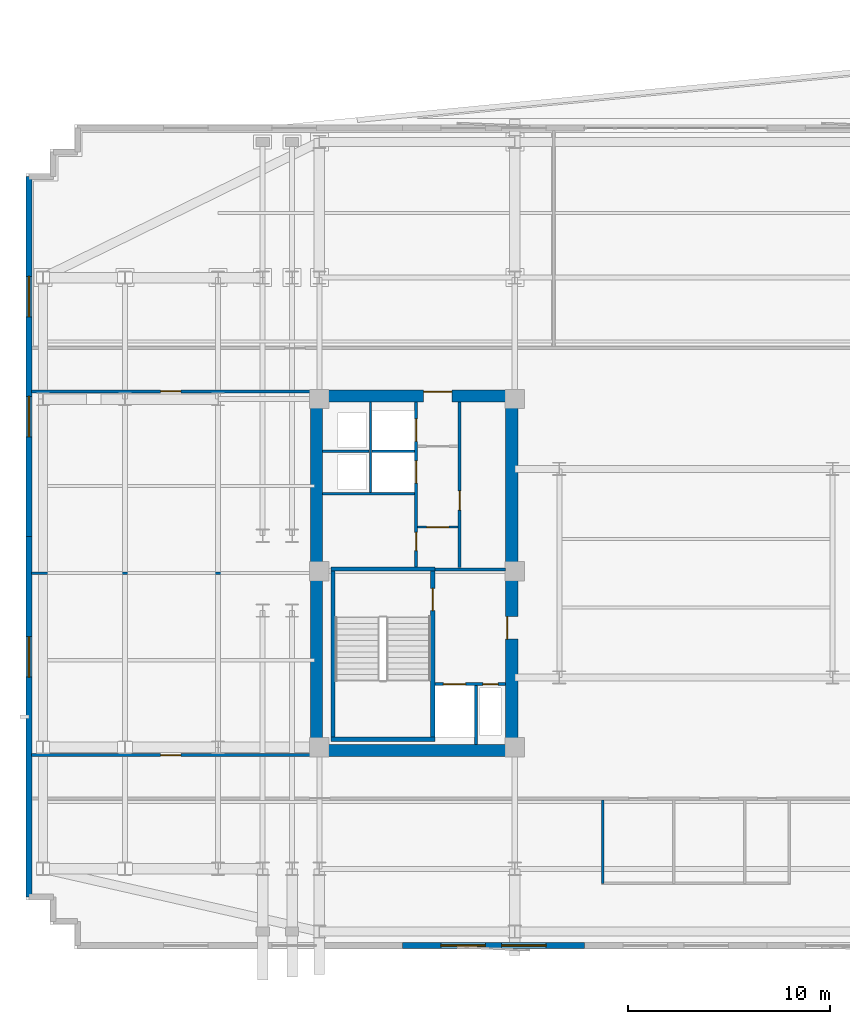
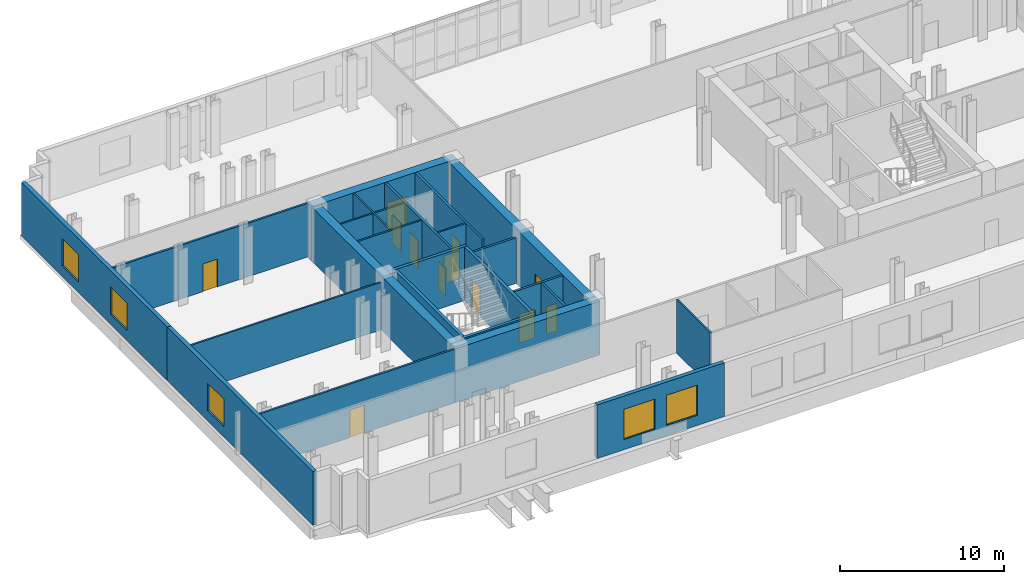
# One storey, part 6 of 14: 25 walls, 12 doors, 5 windows, 17 openings.
"""IFC4 building model written with IfcOpenShell, lengths in metres."""

from ifc_helpers import new_model, si_unit, direction, frame, frame_2d, origin, place, context, subcontext, project, spatial, rectangle, extrude, material, layer, layer_set, type_object, element, fill, save


model = new_model("IFC4")

# Units and contexts
model_context = context("Model", 3, precision=1e-05, world=origin(), true_north=direction((0.0, 1.0)))
body_context = subcontext(model_context, "Body", "Model", "MODEL_VIEW")
ifc_project = project(units=[si_unit("LENGTHUNIT", "METRE"), si_unit("AREAUNIT", "SQUARE_METRE"), si_unit("VOLUMEUNIT", "CUBIC_METRE"), si_unit("PLANEANGLEUNIT", "RADIAN"), si_unit("MASSUNIT", "GRAM", prefix="KILO")], contexts=[model_context])

# Site, building, storey
site_placement = place(None, origin())
site = spatial("IfcSite", under=ifc_project, at=site_placement, CompositionType="ELEMENT")
building_placement = place(site_placement, origin())
building = spatial("IfcBuilding", under=site, at=building_placement, Name="Velakula Bourse", CompositionType="ELEMENT")
storey_placement = place(building_placement, frame((0.0, 0.0, 116.64990234375)))
storey = spatial("IfcBuildingStorey", under=building, at=storey_placement, Name="L31", CompositionType="ELEMENT", Elevation=116.64990234375)

# Wall, opening, door
ifc_material_1 = material(Name="Concrete M50 (fck 50 MPa)", Category="concrete")
ifc_layer_1 = layer(ifc_material_1, 0.2099609375, Name="Concrete M50 (fck 50 MPa)", Category="concrete")
ifc_layer_set_1 = layer_set([ifc_layer_1], Name="Concrete M50 (fck 50 MPa)")
wall_type_1 = type_object("IfcWallType", Name="WL-CORE-210", PredefinedType="SHEAR", material=ifc_layer_set_1)
wall_1_placement = place(storey_placement, frame((-12.9951171875, -8.10009765625, 0.0), z_axis=(0.0, 0.0, 1.0), x_axis=(0.0, 1.0, 0.0)))
wall_1 = element("IfcWall", 1, at=wall_1_placement, inside=storey, type_object=wall_type_1, Name="L31 Core W Stairwell Shear Wall IN", PredefinedType="SHEAR", context=body_context, shape_type="SweptSolid", body=[
    extrude(rectangle(XDim=8.2001953125, YDim=0.2099609375, at=frame_2d((4.10009765625, 0.0))), origin(), (0.0, 0.0, 1.0), 4.02001953125),
])
opening_1_placement = place(wall_1_placement, frame((6.25, 0.0, 0.0)))
opening_1 = element("IfcOpeningElement", 2, at=opening_1_placement, cuts=wall_1, Name="Opening D-STW1", PredefinedType="OPENING", context=body_context, shape_type="SweptSolid", body=[
    extrude(rectangle(XDim=1.10009765625, YDim=2.14990234375, at=frame_2d((0.550048828125, 1.074951171875))), frame((0.0, 0.114990234375, 0.0), z_axis=(0.0, -1.0, 0.0), x_axis=(1.0, 0.0, 0.0)), (0.0, 0.0, 1.0), 0.22998046875),
])
ifc_material_2 = material(Name="Galvanised painted hollow steel fire door", Category="steel")
door_type_1 = type_object("IfcDoorType", Name="DR-FD120-1100x2150", OperationType="NOTDEFINED", PredefinedType="DOOR", material=ifc_material_2)
door_1_placement = place(opening_1_placement, origin())
door_1 = element("IfcDoor", 3, at=door_1_placement, inside=storey, type_object=door_type_1, Name="L31 Stair ST-W1 Fire Door", OperationType="SINGLE_SWING_LEFT", OverallHeight=2.14990234375, OverallWidth=1.10009765625, PredefinedType="DOOR", context=body_context, shape_type="SweptSolid", body=[
    extrude(rectangle(XDim=1.10009765625, YDim=2.14990234375, at=frame_2d((0.550048828125, 1.074951171875))), frame((0.0, 0.02490234375, 0.0), z_axis=(0.0, -1.0, 0.0), x_axis=(1.0, 0.0, 0.0)), (0.0, 0.0, 1.0), 0.050048828125),
])
fill(opening_1, door_1)

# Walls
wall_2_placement = place(storey_placement, frame((-17.925048828125, -8.10009765625, 0.0), z_axis=(0.0, 0.0, 1.0), x_axis=(0.0, 1.0, 0.0)))
element("IfcWall", 4, at=wall_2_placement, inside=storey, type_object=wall_type_1, Name="L31 Core W Stairwell Shear Wall OUT", PredefinedType="SHEAR", context=body_context, shape_type="SweptSolid", body=[
    extrude(rectangle(XDim=8.2001953125, YDim=0.2099609375, at=frame_2d((4.10009765625, 0.0))), origin(), (0.0, 0.0, 1.0), 4.02001953125),
])
for number, where, z_axis, x_axis, name in (
    (5, (-18.030029296875, -8.205078125, 0.0), (0.0, 0.0, 1.0), (1.0, 0.0, 0.0), "L31 Core W Stairwell Shear Wall S"),
    (6, (-12.889892578125, 0.205078125, 0.0), (0.0, 0.0, 1.0), (-1.0, 0.0, 0.0), "L31 Core W Stairwell Shear Wall N"),
):
    element("IfcWall", number, at=place(storey_placement, frame(where, z_axis=z_axis, x_axis=x_axis)), inside=storey, type_object=wall_type_1, Name=name, PredefinedType="SHEAR", context=body_context, shape_type="SweptSolid", body=[
        extrude(rectangle(XDim=5.14013671875, YDim=0.2099609375, at=frame_2d((2.570068359375, 0.0))), origin(), (0.0, 0.0, 1.0), 4.02001953125),
    ])
ifc_material_3 = material(Name="Concrete M70 (fck 70 MPa)", Category="concrete")
ifc_layer_2 = layer(ifc_material_3, 0.60009765625, Name="Concrete M70 (fck 70 MPa)", Category="concrete")
ifc_layer_set_2 = layer_set([ifc_layer_2], Name="Concrete M70 (fck 70 MPa)")
wall_type_2 = type_object("IfcWallType", Name="WL-CORE-600", PredefinedType="SHEAR", material=ifc_layer_set_2)
wall_3_placement = place(storey_placement, frame((-19.050048828125, -8.75, 0.0), z_axis=(0.0, 0.0, 1.0), x_axis=(1.0, 0.0, 0.0)))
element("IfcWall", 7, at=wall_3_placement, inside=storey, type_object=wall_type_2, Name="L31 Core W Shear Wall S", PredefinedType="SHEAR", context=body_context, shape_type="SweptSolid", body=[
    extrude(rectangle(XDim=10.25, YDim=0.60009765625, at=frame_2d((5.125, 0.0))), origin(), (0.0, 0.0, 1.0), 4.02001953125),
])

# Wall, opening, door
wall_4_placement = place(storey_placement, frame((-19.050048828125, 8.75, 0.0), z_axis=(0.0, 0.0, 1.0), x_axis=(1.0, 0.0, 0.0)))
wall_4 = element("IfcWall", 8, at=wall_4_placement, inside=storey, type_object=wall_type_2, Name="L31 Core W Shear Wall N", PredefinedType="SHEAR", context=body_context, shape_type="SweptSolid", body=[
    extrude(rectangle(XDim=10.25, YDim=0.60009765625, at=frame_2d((5.125, 0.0))), origin(), (0.0, 0.0, 1.0), 4.02001953125),
])
opening_2_placement = place(wall_4_placement, frame((5.60009765625, 0.0, 0.0)))
opening_2 = element("IfcOpeningElement", 9, at=opening_2_placement, cuts=wall_4, Name="Opening D-LLW", PredefinedType="OPENING", context=body_context, shape_type="SweptSolid", body=[
    extrude(rectangle(XDim=1.39990234375, YDim=2.050048828125, at=frame_2d((0.699951171875, 1.02490234375))), frame((0.0, 0.31005859375, 0.0), z_axis=(0.0, -1.0, 0.0), x_axis=(1.0, 0.0, 0.0)), (0.0, 0.0, 1.0), 0.6201171875),
])
ifc_material_4 = material(Name="Fire-rated hardwood flush architectural door", Category="wood")
door_type_2 = type_object("IfcDoorType", Name="DR-DBL-FD60-1400", OperationType="DOUBLE_DOOR_SINGLE_SWING", PredefinedType="DOOR", material=ifc_material_4)
door_2_placement = place(opening_2_placement, origin())
door_2 = element("IfcDoor", 10, at=door_2_placement, inside=storey, type_object=door_type_2, Name="L31 Core W Lift Lobby Corridor Double Door", OperationType="DOUBLE_DOOR_SINGLE_SWING", OverallHeight=2.050048828125, OverallWidth=1.39990234375, PredefinedType="DOOR", context=body_context, shape_type="SweptSolid", body=[
    extrude(rectangle(XDim=1.39990234375, YDim=2.050048828125, at=frame_2d((0.699951171875, 1.02490234375))), frame((0.0, 0.2451171875, 0.0), z_axis=(0.0, -1.0, 0.0), x_axis=(1.0, 0.0, 0.0)), (0.0, 0.0, 1.0), 0.050048828125),
])
fill(opening_2, door_2)

# Wall
wall_5_placement = place(storey_placement, frame((-18.75, -8.449951171875, 0.0), z_axis=(0.0, 0.0, 1.0), x_axis=(0.0, 1.0, 0.0)))
element("IfcWall", 11, at=wall_5_placement, inside=storey, type_object=wall_type_2, Name="L31 Core W Shear Wall W", PredefinedType="SHEAR", context=body_context, shape_type="SweptSolid", body=[
    extrude(rectangle(XDim=16.89990234375, YDim=0.60009765625, at=frame_2d((8.449951171875, 0.0))), origin(), (0.0, 0.0, 1.0), 4.02001953125),
])

# Wall, opening, door
wall_6_placement = place(storey_placement, frame((-9.10009765625, -8.449951171875, 0.0), z_axis=(0.0, 0.0, 1.0), x_axis=(0.0, 1.0, 0.0)))
wall_6 = element("IfcWall", 12, at=wall_6_placement, inside=storey, type_object=wall_type_2, Name="L31 Core W Shear Wall E", PredefinedType="SHEAR", context=body_context, shape_type="SweptSolid", body=[
    extrude(rectangle(XDim=16.89990234375, YDim=0.60009765625, at=frame_2d((8.449951171875, 0.0))), origin(), (0.0, 0.0, 1.0), 4.02001953125),
])
opening_3_placement = place(wall_6_placement, frame((5.199951171875, 0.0, 0.0)))
opening_3 = element("IfcOpeningElement", 13, at=opening_3_placement, cuts=wall_6, Name="Opening D-FLW", PredefinedType="OPENING", context=body_context, shape_type="SweptSolid", body=[
    extrude(rectangle(XDim=1.10009765625, YDim=2.080078125, at=frame_2d((0.550048828125, 1.0400390625))), frame((0.0, 0.31005859375, 0.0), z_axis=(0.0, -1.0, 0.0), x_axis=(1.0, 0.0, 0.0)), (0.0, 0.0, 1.0), 0.6201171875),
])
door_type_3 = type_object("IfcDoorType", Name="DR-FD120-1100", OperationType="NOTDEFINED", PredefinedType="DOOR", material=ifc_material_2)
door_3_placement = place(opening_3_placement, origin())
door_3 = element("IfcDoor", 14, at=door_3_placement, inside=storey, type_object=door_type_3, Name="L31 Firefighting Lobby W Corridor Fire Door", OperationType="SINGLE_SWING_LEFT", OverallHeight=2.080078125, OverallWidth=1.10009765625, PredefinedType="DOOR", context=body_context, shape_type="SweptSolid", body=[
    extrude(rectangle(XDim=1.10009765625, YDim=2.080078125, at=frame_2d((0.550048828125, 1.0400390625))), frame((0.0, 0.2548828125, 0.0), z_axis=(0.0, -1.0, 0.0), x_axis=(1.0, 0.0, 0.0)), (0.0, 0.0, 1.0), 0.050048828125),
])
fill(opening_3, door_3)

# Wall, openings, windows
ifc_material_5 = material(Name="Red kilned clay facing brick masonry", Category="masonry")
ifc_layer_3 = layer(ifc_material_5, 0.280029296875, Name="Red kilned clay facing brick masonry", Category="masonry")
ifc_layer_set_3 = layer_set([ifc_layer_3], Name="Red kilned clay facing brick masonry")
wall_type_3 = type_object("IfcWallType", Name="WL-EXT-BRK-280", PredefinedType="STANDARD", material=ifc_layer_set_3)
wall_7_placement = place(storey_placement, frame((-5.5, -18.389892578125, 0.0), z_axis=(0.0, 0.0, 1.0), x_axis=(-1.0, 0.0, 0.0)))
wall_7 = element("IfcWall", 15, at=wall_7_placement, inside=storey, type_object=wall_type_3, Name="L31 S Brick Spandrel Wall B2", PredefinedType="STANDARD", context=body_context, shape_type="SweptSolid", body=[
    extrude(rectangle(XDim=9.0, YDim=0.280029296875, at=frame_2d((4.5, 0.0))), origin(), (0.0, 0.0, 1.0), 4.0),
])
opening_4_placement = place(wall_7_placement, frame((1.89990234375, 0.0, 0.760009765625)))
opening_4 = element("IfcOpeningElement", 16, at=opening_4_placement, cuts=wall_7, Name="Opening W-08", PredefinedType="OPENING", context=body_context, shape_type="SweptSolid", body=[
    extrude(rectangle(XDim=2.199951171875, YDim=2.25, at=frame_2d((1.10009765625, 1.125))), frame((0.0, 0.14990234375, 0.0), z_axis=(0.0, -1.0, 0.0), x_axis=(1.0, 0.0, 0.0)), (0.0, 0.0, 1.0), 0.300048828125),
])
opening_5_placement = place(wall_7_placement, frame((4.89990234375, 0.0, 0.760009765625)))
opening_5 = element("IfcOpeningElement", 17, at=opening_5_placement, cuts=wall_7, Name="Opening W-08", PredefinedType="OPENING", context=body_context, shape_type="SweptSolid", body=[
    extrude(rectangle(XDim=2.199951171875, YDim=2.25, at=frame_2d((1.10009765625, 1.125))), frame((0.0, 0.14990234375, 0.0), z_axis=(0.0, -1.0, 0.0), x_axis=(1.0, 0.0, 0.0)), (0.0, 0.0, 1.0), 0.300048828125),
])
ifc_material_6 = material(Name="Double-glazed solar-control Low-E glass", Category="glass")
window_type_1 = type_object("IfcWindowType", Name="WIN-SL-2200x2500", PartitioningType="DOUBLE_PANEL_VERTICAL", PredefinedType="WINDOW", material=ifc_material_6)
window_1_placement = place(opening_4_placement, origin())
window_1 = element("IfcWindow", 18, at=window_1_placement, inside=storey, type_object=window_type_1, Name="L31 Deep-Set Recessed Window 1", OverallHeight=2.25, OverallWidth=2.199951171875, PartitioningType="DOUBLE_PANEL_VERTICAL", PredefinedType="WINDOW", context=body_context, shape_type="SweptSolid", body=[
    extrude(rectangle(XDim=2.199951171875, YDim=2.25, at=frame_2d((1.10009765625, 1.125))), frame((0.0, 0.030029296875, 0.0), z_axis=(0.0, -1.0, 0.0), x_axis=(1.0, 0.0, 0.0)), (0.0, 0.0, 1.0), 0.06005859375),
])
fill(opening_4, window_1)
window_2_placement = place(opening_5_placement, origin())
window_2 = element("IfcWindow", 19, at=window_2_placement, inside=storey, type_object=window_type_1, Name="L31 Deep-Set Recessed Window 2", OverallHeight=2.25, OverallWidth=2.199951171875, PartitioningType="DOUBLE_PANEL_VERTICAL", PredefinedType="WINDOW", context=body_context, shape_type="SweptSolid", body=[
    extrude(rectangle(XDim=2.199951171875, YDim=2.25, at=frame_2d((1.10009765625, 1.125))), frame((0.0, 0.030029296875, 0.0), z_axis=(0.0, -1.0, 0.0), x_axis=(1.0, 0.0, 0.0)), (0.0, 0.0, 1.0), 0.06005859375),
])
fill(opening_5, window_2)

# Wall, opening, window
wall_8_placement = place(storey_placement, frame((-32.93994140625, -15.989990234375, 0.0), z_axis=(0.0, 0.0, 1.0), x_axis=(0.0, 1.0, 0.0)))
wall_8 = element("IfcWall", 20, at=wall_8_placement, inside=storey, type_object=wall_type_3, Name="L31 W Brick End Wall W1", PredefinedType="STANDARD", context=body_context, shape_type="SweptSolid", body=[
    extrude(rectangle(XDim=17.7900390625, YDim=0.280029296875, at=frame_2d((8.89501953125, 0.0))), origin(), (0.0, 0.0, 1.0), 4.0),
])
opening_6_placement = place(wall_8_placement, frame((10.860107421875, 0.0, 0.760009765625)))
opening_6 = element("IfcOpeningElement", 21, at=opening_6_placement, cuts=wall_8, Name="Opening W-05", PredefinedType="OPENING", context=body_context, shape_type="SweptSolid", body=[
    extrude(rectangle(XDim=2.0, YDim=2.050048828125, at=frame_2d((1.0, 1.02490234375))), frame((0.0, 0.14990234375, 0.0), z_axis=(0.0, -1.0, 0.0), x_axis=(1.0, 0.0, 0.0)), (0.0, 0.0, 1.0), 0.300048828125),
])
window_type_2 = type_object("IfcWindowType", Name="WIN-TWR-2000x2200", PartitioningType="DOUBLE_PANEL_VERTICAL", PredefinedType="WINDOW", material=ifc_material_6)
window_3_placement = place(opening_6_placement, origin())
window_3 = element("IfcWindow", 22, at=window_3_placement, inside=storey, type_object=window_type_2, Name="L31 Deep-Set Recessed Window 1", OverallHeight=2.050048828125, OverallWidth=2.0, PartitioningType="DOUBLE_PANEL_VERTICAL", PredefinedType="WINDOW", context=body_context, shape_type="SweptSolid", body=[
    extrude(rectangle(XDim=2.0, YDim=2.050048828125, at=frame_2d((1.0, 1.02490234375))), frame((0.0, 0.030029296875, 0.0), z_axis=(0.0, -1.0, 0.0), x_axis=(1.0, 0.0, 0.0)), (0.0, 0.0, 1.0), 0.06005859375),
])
fill(opening_6, window_3)

# Wall, openings, windows
wall_9_placement = place(storey_placement, frame((-32.93994140625, 1.800048828125, 0.0), z_axis=(0.0, 0.0, 1.0), x_axis=(0.0, 1.0, 0.0)))
wall_9 = element("IfcWall", 23, at=wall_9_placement, inside=storey, type_object=wall_type_3, Name="L31 W Brick End Wall W2", PredefinedType="STANDARD", context=body_context, shape_type="SweptSolid", body=[
    extrude(rectangle(XDim=17.7900390625, YDim=0.280029296875, at=frame_2d((8.89501953125, 0.0))), origin(), (0.0, 0.0, 1.0), 4.0),
])
opening_7_placement = place(wall_9_placement, frame((4.929931640625, 0.0, 0.760009765625)))
opening_7 = element("IfcOpeningElement", 24, at=opening_7_placement, cuts=wall_9, Name="Opening W-05", PredefinedType="OPENING", context=body_context, shape_type="SweptSolid", body=[
    extrude(rectangle(XDim=2.0, YDim=2.050048828125, at=frame_2d((1.0, 1.02490234375))), frame((0.0, 0.14990234375, 0.0), z_axis=(0.0, -1.0, 0.0), x_axis=(1.0, 0.0, 0.0)), (0.0, 0.0, 1.0), 0.300048828125),
])
opening_8_placement = place(wall_9_placement, frame((10.860107421875, 0.0, 0.760009765625)))
opening_8 = element("IfcOpeningElement", 25, at=opening_8_placement, cuts=wall_9, Name="Opening W-05", PredefinedType="OPENING", context=body_context, shape_type="SweptSolid", body=[
    extrude(rectangle(XDim=2.0, YDim=2.050048828125, at=frame_2d((1.0, 1.02490234375))), frame((0.0, 0.14990234375, 0.0), z_axis=(0.0, -1.0, 0.0), x_axis=(1.0, 0.0, 0.0)), (0.0, 0.0, 1.0), 0.300048828125),
])
window_4_placement = place(opening_7_placement, origin())
window_4 = element("IfcWindow", 26, at=window_4_placement, inside=storey, type_object=window_type_2, Name="L31 Deep-Set Recessed Window 1", OverallHeight=2.050048828125, OverallWidth=2.0, PartitioningType="DOUBLE_PANEL_VERTICAL", PredefinedType="WINDOW", context=body_context, shape_type="SweptSolid", body=[
    extrude(rectangle(XDim=2.0, YDim=2.050048828125, at=frame_2d((1.0, 1.02490234375))), frame((0.0, 0.030029296875, 0.0), z_axis=(0.0, -1.0, 0.0), x_axis=(1.0, 0.0, 0.0)), (0.0, 0.0, 1.0), 0.06005859375),
])
fill(opening_7, window_4)
window_5_placement = place(opening_8_placement, origin())
window_5 = element("IfcWindow", 27, at=window_5_placement, inside=storey, type_object=window_type_2, Name="L31 Deep-Set Recessed Window 2", OverallHeight=2.050048828125, OverallWidth=2.0, PartitioningType="DOUBLE_PANEL_VERTICAL", PredefinedType="WINDOW", context=body_context, shape_type="SweptSolid", body=[
    extrude(rectangle(XDim=2.0, YDim=2.050048828125, at=frame_2d((1.0, 1.02490234375))), frame((0.0, 0.030029296875, 0.0), z_axis=(0.0, -1.0, 0.0), x_axis=(1.0, 0.0, 0.0)), (0.0, 0.0, 1.0), 0.06005859375),
])
fill(opening_8, window_5)

# Wall, opening, door
ifc_material_7 = material(Name="Fire-rated double-layer gypsum drywall partition", Category="gypsum")
ifc_layer_4 = layer(ifc_material_7, 0.1201171875, Name="Fire-rated double-layer gypsum drywall partition", Category="gypsum")
ifc_layer_set_4 = layer_set([ifc_layer_4], Name="Fire-rated double-layer gypsum drywall partition")
wall_type_4 = type_object("IfcWallType", Name="WL-PART-120", PredefinedType="STANDARD", material=ifc_layer_set_4)
wall_10_placement = place(storey_placement, frame((-13.75, 2.280029296875, 0.0), z_axis=(0.0, 0.0, 1.0), x_axis=(1.0, 0.0, 0.0)))
wall_10 = element("IfcWall", 28, at=wall_10_placement, inside=storey, type_object=wall_type_4, Name="L31 Interior Partition WL-CRW-L31-LL-K3A", PredefinedType="STANDARD", context=body_context, shape_type="SweptSolid", body=[
    extrude(rectangle(XDim=2.0, YDim=0.1201171875, at=frame_2d((1.0, 0.0))), origin(), (0.0, 0.0, 1.0), 4.0),
])
opening_9_placement = place(wall_10_placement, frame((0.449951171875, 0.0, 0.0)))
opening_9 = element("IfcOpeningElement", 29, at=opening_9_placement, cuts=wall_10, Name="Opening D-LK3", PredefinedType="OPENING", context=body_context, shape_type="SweptSolid", body=[
    extrude(rectangle(XDim=1.10009765625, YDim=2.10009765625, at=frame_2d((0.550048828125, 1.050048828125))), frame((0.0, 0.070068359375, 0.0), z_axis=(0.0, -1.0, 0.0), x_axis=(1.0, 0.0, 0.0)), (0.0, 0.0, 1.0), 0.14013671875),
])
door_type_4 = type_object("IfcDoorType", Name="DR-FD60-1100x2100", OperationType="NOTDEFINED", PredefinedType="DOOR", material=ifc_material_4)
door_4_placement = place(opening_9_placement, origin())
door_4 = element("IfcDoor", 30, at=door_4_placement, inside=storey, type_object=door_type_4, Name="L31 Core W Lift Lobby Vestibule Door A", OperationType="SINGLE_SWING_RIGHT", OverallHeight=2.10009765625, OverallWidth=1.10009765625, PredefinedType="DOOR", context=body_context, shape_type="SweptSolid", body=[
    extrude(rectangle(XDim=1.10009765625, YDim=2.10009765625, at=frame_2d((0.550048828125, 1.050048828125))), frame((0.0, 0.02490234375, 0.0), z_axis=(0.0, -1.0, 0.0), x_axis=(1.0, 0.0, 0.0)), (0.0, 0.0, 1.0), 0.050048828125),
])
fill(opening_9, door_4)

# Walls
wall_11_placement = place(storey_placement, frame((-18.449951171875, 3.919921875, 0.0), z_axis=(0.0, 0.0, 1.0), x_axis=(1.0, 0.0, 0.0)))
element("IfcWall", 31, at=wall_11_placement, inside=storey, type_object=wall_type_4, Name="L31 Interior Partition WL-CRW-L31-HI-S", PredefinedType="STANDARD", context=body_context, shape_type="SweptSolid", body=[
    extrude(rectangle(XDim=4.550048828125, YDim=0.1201171875, at=frame_2d((2.27490234375, 0.0))), origin(), (0.0, 0.0, 1.0), 4.0),
])
wall_12_placement = place(storey_placement, frame((-18.449951171875, 6.030029296875, 0.0), z_axis=(0.0, 0.0, 1.0), x_axis=(1.0, 0.0, 0.0)))
element("IfcWall", 32, at=wall_12_placement, inside=storey, type_object=wall_type_4, Name="L31 Interior Partition WL-CRW-L31-RIS-MID", PredefinedType="STANDARD", context=body_context, shape_type="SweptSolid", body=[
    extrude(rectangle(XDim=2.300048828125, YDim=0.1201171875, at=frame_2d((1.14990234375, 0.0))), origin(), (0.0, 0.0, 1.0), 4.0),
])
wall_13_placement = place(storey_placement, frame((-16.074951171875, 3.97998046875, 0.0), z_axis=(0.0, 0.0, 1.0), x_axis=(0.0, 1.0, 0.0)))
element("IfcWall", 33, at=wall_13_placement, inside=storey, type_object=wall_type_4, Name="L31 Interior Partition WL-CRW-L31-RIS-F", PredefinedType="STANDARD", context=body_context, shape_type="SweptSolid", body=[
    extrude(rectangle(XDim=4.469970703125, YDim=0.1201171875, at=frame_2d((2.23486328125, 0.0))), origin(), (0.0, 0.0, 1.0), 4.0),
])
wall_14_placement = place(storey_placement, frame((-16.0, 6.030029296875, 0.0), z_axis=(0.0, 0.0, 1.0), x_axis=(1.0, 0.0, 0.0)))
element("IfcWall", 34, at=wall_14_placement, inside=storey, type_object=wall_type_4, Name="L31 Interior Partition WL-CRW-L31-HI-DIV", PredefinedType="STANDARD", context=body_context, shape_type="SweptSolid", body=[
    extrude(rectangle(XDim=2.10009765625, YDim=0.1201171875, at=frame_2d((1.050048828125, 0.0))), origin(), (0.0, 0.0, 1.0), 4.0),
])
wall_15_placement = place(storey_placement, frame((-4.60009765625, -15.320068359375, 0.0), z_axis=(0.0, 0.0, 1.0), x_axis=(0.0, 1.0, 0.0)))
element("IfcWall", 35, at=wall_15_placement, inside=storey, type_object=wall_type_4, Name="L31 Interior Partition WL-WC-L31-V1", PredefinedType="STANDARD", context=body_context, shape_type="SweptSolid", body=[
    extrude(rectangle(XDim=4.130126953125, YDim=0.1201171875, at=frame_2d((2.06494140625, 0.0))), origin(), (0.0, 0.0, 1.0), 4.0),
])
wall_16_placement = place(storey_placement, frame((-32.820068359375, 0.0, 0.0), z_axis=(0.0, 0.0, 1.0), x_axis=(1.0, 0.0, 0.0)))
element("IfcWall", 36, at=wall_16_placement, inside=storey, type_object=wall_type_4, Name="L31 Interior Partition WL-INT-L31-W-H", PredefinedType="STANDARD", context=body_context, shape_type="SweptSolid", body=[
    extrude(rectangle(XDim=13.77001953125, YDim=0.1201171875, at=frame_2d((6.885009765625, 0.0))), origin(), (0.0, 0.0, 1.0), 3.545166015625),
])

# Wall, opening, door
ifc_layer_5 = layer(ifc_material_7, 0.139892578125, Name="Fire-rated double-layer gypsum drywall partition", Category="gypsum")
ifc_layer_set_5 = layer_set([ifc_layer_5], Name="Fire-rated double-layer gypsum drywall partition")
wall_type_5 = type_object("IfcWallType", Name="WL-PART-140", PredefinedType="STANDARD", material=ifc_layer_set_5)
wall_17_placement = place(storey_placement, frame((-32.820068359375, 8.97998046875, 0.0), z_axis=(0.0, 0.0, 1.0), x_axis=(1.0, 0.0, 0.0)))
wall_17 = element("IfcWall", 37, at=wall_17_placement, inside=storey, type_object=wall_type_5, Name="L31 Interior Partition WL-INT-L31-W-NC", PredefinedType="STANDARD", context=body_context, shape_type="SweptSolid", body=[
    extrude(rectangle(XDim=13.77001953125, YDim=0.139892578125, at=frame_2d((6.885009765625, 0.0))), origin(), (0.0, 0.0, 1.0), 4.0),
])
opening_10_placement = place(wall_17_placement, frame((6.385009765625, 0.0, 0.0)))
opening_10 = element("IfcOpeningElement", 38, at=opening_10_placement, cuts=wall_17, Name="Opening D-OF1", PredefinedType="OPENING", context=body_context, shape_type="SweptSolid", body=[
    extrude(rectangle(XDim=1.0, YDim=2.080078125, at=frame_2d((0.5, 1.0400390625))), frame((0.0, 0.079833984375, 0.0), z_axis=(0.0, -1.0, 0.0), x_axis=(1.0, 0.0, 0.0)), (0.0, 0.0, 1.0), 0.159912109375),
])
door_type_5 = type_object("IfcDoorType", Name="DR-OFF-1000", OperationType="NOTDEFINED", PredefinedType="DOOR", material=ifc_material_4)
door_5_placement = place(opening_10_placement, origin())
door_5 = element("IfcDoor", 39, at=door_5_placement, inside=storey, type_object=door_type_5, Name="L31 Bullion Assay Office Door", OperationType="SINGLE_SWING_RIGHT", OverallHeight=2.080078125, OverallWidth=1.0, PredefinedType="DOOR", context=body_context, shape_type="SweptSolid", body=[
    extrude(rectangle(XDim=1.0, YDim=2.080078125, at=frame_2d((0.5, 1.0400390625))), frame((0.0, 0.02490234375, 0.0), z_axis=(0.0, -1.0, 0.0), x_axis=(1.0, 0.0, 0.0)), (0.0, 0.0, 1.0), 0.050048828125),
])
fill(opening_10, door_5)

wall_18_placement = place(storey_placement, frame((-32.820068359375, -8.97998046875, 0.0), z_axis=(0.0, 0.0, 1.0), x_axis=(1.0, 0.0, 0.0)))
wall_18 = element("IfcWall", 40, at=wall_18_placement, inside=storey, type_object=wall_type_5, Name="L31 Interior Partition WL-INT-L31-W-SC", PredefinedType="STANDARD", context=body_context, shape_type="SweptSolid", body=[
    extrude(rectangle(XDim=13.77001953125, YDim=0.139892578125, at=frame_2d((6.885009765625, 0.0))), origin(), (0.0, 0.0, 1.0), 4.0),
])
opening_11_placement = place(wall_18_placement, frame((6.385009765625, 0.0, 0.0)))
opening_11 = element("IfcOpeningElement", 41, at=opening_11_placement, cuts=wall_18, Name="Opening D-OF1", PredefinedType="OPENING", context=body_context, shape_type="SweptSolid", body=[
    extrude(rectangle(XDim=1.0, YDim=2.080078125, at=frame_2d((0.5, 1.0400390625))), frame((0.0, 0.079833984375, 0.0), z_axis=(0.0, -1.0, 0.0), x_axis=(1.0, 0.0, 0.0)), (0.0, 0.0, 1.0), 0.159912109375),
])
door_6_placement = place(opening_11_placement, origin())
door_6 = element("IfcDoor", 42, at=door_6_placement, inside=storey, type_object=door_type_5, Name="L31 Cash Equities Dealing Workspace Door", OperationType="SINGLE_SWING_LEFT", OverallHeight=2.080078125, OverallWidth=1.0, PredefinedType="DOOR", context=body_context, shape_type="SweptSolid", body=[
    extrude(rectangle(XDim=1.0, YDim=2.080078125, at=frame_2d((0.5, 1.0400390625))), frame((0.0, 0.02490234375, 0.0), z_axis=(0.0, -1.0, 0.0), x_axis=(1.0, 0.0, 0.0)), (0.0, 0.0, 1.0), 0.050048828125),
])
fill(opening_11, door_6)

# Wall, openings, doors
ifc_material_8 = material(Name="Autoclaved aerated concrete blockwork masonry", Category="masonry")
ifc_layer_6 = layer(ifc_material_8, 0.14990234375, Name="Autoclaved aerated concrete blockwork masonry", Category="masonry")
ifc_layer_set_6 = layer_set([ifc_layer_6], Name="Autoclaved aerated concrete blockwork masonry")
wall_type_6 = type_object("IfcWallType", Name="WL-SHAFT-150", PredefinedType="STANDARD", material=ifc_layer_set_6)
wall_19_placement = place(storey_placement, frame((-12.89501953125, -5.47509765625, 0.0), z_axis=(0.0, 0.0, 1.0), x_axis=(1.0, 0.0, 0.0)))
wall_19 = element("IfcWall", 43, at=wall_19_placement, inside=storey, type_object=wall_type_6, Name="L31 Interior Partition WL-CRW-L31-FFL-N", PredefinedType="STANDARD", context=body_context, shape_type="SweptSolid", body=[
    extrude(rectangle(XDim=3.4951171875, YDim=0.14990234375, at=frame_2d((1.74755859375, 0.0))), origin(), (0.0, 0.0, 1.0), 4.0),
])
opening_12_placement = place(wall_19_placement, frame((0.419921875, 0.0, 0.0)))
opening_12 = element("IfcOpeningElement", 44, at=opening_12_placement, cuts=wall_19, Name="Opening LD-FFL-1", PredefinedType="OPENING", context=body_context, shape_type="SweptSolid", body=[
    extrude(rectangle(XDim=1.10009765625, YDim=2.14990234375, at=frame_2d((0.550048828125, 1.074951171875))), frame((0.0, 0.0849609375, 0.0), z_axis=(0.0, -1.0, 0.0), x_axis=(1.0, 0.0, 0.0)), (0.0, 0.0, 1.0), 0.169921875),
])
opening_13_placement = place(wall_19_placement, frame((2.3701171875, 0.0, 0.0)))
opening_13 = element("IfcOpeningElement", 45, at=opening_13_placement, cuts=wall_19, Name="Opening D-RS1", PredefinedType="OPENING", context=body_context, shape_type="SweptSolid", body=[
    extrude(rectangle(XDim=0.75, YDim=2.050048828125, at=frame_2d((0.375, 1.02490234375))), frame((0.0, 0.0849609375, 0.0), z_axis=(0.0, -1.0, 0.0), x_axis=(1.0, 0.0, 0.0)), (0.0, 0.0, 1.0), 0.169921875),
])
door_type_6 = type_object("IfcDoorType", Name="DR-RISER-800", OperationType="NOTDEFINED", PredefinedType="DOOR", material=ifc_material_2)
door_7_placement = place(opening_13_placement, origin())
door_7 = element("IfcDoor", 46, at=door_7_placement, inside=storey, type_object=door_type_6, Name="L31 Fire Riser Access Door", OperationType="SINGLE_SWING_LEFT", OverallHeight=2.050048828125, OverallWidth=0.75, PredefinedType="DOOR", context=body_context, shape_type="SweptSolid", body=[
    extrude(rectangle(XDim=0.75, YDim=2.050048828125, at=frame_2d((0.375, 1.02490234375))), frame((0.0, 0.02490234375, 0.0), z_axis=(0.0, -1.0, 0.0), x_axis=(1.0, 0.0, 0.0)), (0.0, 0.0, 1.0), 0.050048828125),
])
fill(opening_13, door_7)
ifc_material_9 = material(Name="Brushed grade 316 stainless steel", Category="steel")
door_type_7 = type_object("IfcDoorType", Name="DR-SLIDE-FFL-1100", OperationType="DOUBLE_DOOR_SLIDING", PredefinedType="DOOR", material=ifc_material_9)
door_8_placement = place(opening_12_placement, origin())
door_8 = element("IfcDoor", 47, at=door_8_placement, inside=storey, type_object=door_type_7, Name="L31 Firefighting Lift FFL-1 Sliding Landing Door", OperationType="DOUBLE_DOOR_SLIDING", OverallHeight=2.14990234375, OverallWidth=1.10009765625, PredefinedType="DOOR", context=body_context, shape_type="SweptSolid", body=[
    extrude(rectangle(XDim=1.10009765625, YDim=2.14990234375, at=frame_2d((0.550048828125, 1.074951171875))), frame((0.0, 0.02490234375, 0.0), z_axis=(0.0, -1.0, 0.0), x_axis=(1.0, 0.0, 0.0)), (0.0, 0.0, 1.0), 0.050048828125),
])
fill(opening_12, door_8)

# Walls
wall_20_placement = place(storey_placement, frame((-10.875, -8.449951171875, 0.0), z_axis=(0.0, 0.0, 1.0), x_axis=(0.0, 1.0, 0.0)))
element("IfcWall", 48, at=wall_20_placement, inside=storey, type_object=wall_type_6, Name="L31 Interior Partition WL-CRW-L31-FR-DIV", PredefinedType="STANDARD", context=body_context, shape_type="SweptSolid", body=[
    extrude(rectangle(XDim=2.89990234375, YDim=0.14990234375, at=frame_2d((1.449951171875, 0.0))), origin(), (0.0, 0.0, 1.0), 4.0),
])
wall_21_placement = place(storey_placement, frame((-12.889892578125, 0.18994140625, 0.0), z_axis=(0.0, 0.0, 1.0), x_axis=(1.0, 0.0, 0.0)))
element("IfcWall", 49, at=wall_21_placement, inside=storey, type_object=wall_type_6, Name="L31 Interior Partition WL-CRW-L31-FF-TOP", PredefinedType="STANDARD", context=body_context, shape_type="SweptSolid", body=[
    extrude(rectangle(XDim=3.489990234375, YDim=0.14990234375, at=frame_2d((1.7451171875, 0.0))), origin(), (0.0, 0.0, 1.0), 3.39501953125),
])

# Wall, opening, door
wall_22_placement = place(storey_placement, frame((-11.675048828125, 0.27001953125, 0.0), z_axis=(0.0, 0.0, 1.0), x_axis=(0.0, 1.0, 0.0)))
wall_22 = element("IfcWall", 50, at=wall_22_placement, inside=storey, type_object=wall_type_6, Name="L31 Interior Partition WL-CRW-L31-BANK-F", PredefinedType="STANDARD", context=body_context, shape_type="SweptSolid", body=[
    extrude(rectangle(XDim=8.179931640625, YDim=0.14990234375, at=frame_2d((4.08984375, 0.0))), origin(), (0.0, 0.0, 1.0), 4.0),
])
opening_14_placement = place(wall_22_placement, frame((2.85009765625, 0.0, 0.0)))
opening_14 = element("IfcOpeningElement", 51, at=opening_14_placement, cuts=wall_22, Name="Opening D-RC4", PredefinedType="OPENING", context=body_context, shape_type="SweptSolid", body=[
    extrude(rectangle(XDim=0.949951171875, YDim=2.050048828125, at=frame_2d((0.47509765625, 1.02490234375))), frame((0.0, 0.0849609375, 0.0), z_axis=(0.0, -1.0, 0.0), x_axis=(1.0, 0.0, 0.0)), (0.0, 0.0, 1.0), 0.169921875),
])
door_type_8 = type_object("IfcDoorType", Name="DR-FD60-950x2050", OperationType="NOTDEFINED", PredefinedType="DOOR", material=ifc_material_4)
door_9_placement = place(opening_14_placement, origin())
door_9 = element("IfcDoor", 52, at=door_9_placement, inside=storey, type_object=door_type_8, Name="L31 Reclaimed Multi-Bay Archive Room Door", OperationType="SINGLE_SWING_RIGHT", OverallHeight=2.050048828125, OverallWidth=0.949951171875, PredefinedType="DOOR", context=body_context, shape_type="SweptSolid", body=[
    extrude(rectangle(XDim=0.949951171875, YDim=2.050048828125, at=frame_2d((0.47509765625, 1.02490234375))), frame((0.0, 0.02490234375, 0.0), z_axis=(0.0, -1.0, 0.0), x_axis=(1.0, 0.0, 0.0)), (0.0, 0.0, 1.0), 0.050048828125),
])
fill(opening_14, door_9)

# Wall, openings, doors
wall_23_placement = place(storey_placement, frame((-13.824951171875, 0.27001953125, 0.0), z_axis=(0.0, 0.0, 1.0), x_axis=(0.0, 1.0, 0.0)))
wall_23 = element("IfcWall", 53, at=wall_23_placement, inside=storey, type_object=wall_type_6, Name="L31 Interior Partition WL-CRW-L31-OUT-F", PredefinedType="STANDARD", context=body_context, shape_type="SweptSolid", body=[
    extrude(rectangle(XDim=8.179931640625, YDim=0.14990234375, at=frame_2d((4.08984375, 0.0))), origin(), (0.0, 0.0, 1.0), 4.0),
])
opening_15_placement = place(wall_23_placement, frame((4.175048828125, 0.0, 0.0)))
opening_15 = element("IfcOpeningElement", 54, at=opening_15_placement, cuts=wall_23, Name="Opening LD-P9", PredefinedType="OPENING", context=body_context, shape_type="SweptSolid", body=[
    extrude(rectangle(XDim=1.10009765625, YDim=2.10009765625, at=frame_2d((0.550048828125, 1.050048828125))), frame((0.0, 0.0849609375, 0.0), z_axis=(0.0, -1.0, 0.0), x_axis=(1.0, 0.0, 0.0)), (0.0, 0.0, 1.0), 0.169921875),
])
opening_16_placement = place(wall_23_placement, frame((6.2451171875, 0.0, 0.0)))
opening_16 = element("IfcOpeningElement", 55, at=opening_16_placement, cuts=wall_23, Name="Opening LD-P10", PredefinedType="OPENING", context=body_context, shape_type="SweptSolid", body=[
    extrude(rectangle(XDim=1.10009765625, YDim=2.10009765625, at=frame_2d((0.550048828125, 1.050048828125))), frame((0.0, 0.0849609375, 0.0), z_axis=(0.0, -1.0, 0.0), x_axis=(1.0, 0.0, 0.0)), (0.0, 0.0, 1.0), 0.169921875),
])
opening_17_placement = place(wall_23_placement, frame((0.85009765625, 0.0, 0.0)))
opening_17 = element("IfcOpeningElement", 56, at=opening_17_placement, cuts=wall_23, Name="Opening D-CR3", PredefinedType="OPENING", context=body_context, shape_type="SweptSolid", body=[
    extrude(rectangle(XDim=0.89990234375, YDim=2.050048828125, at=frame_2d((0.449951171875, 1.02490234375))), frame((0.0, 0.0849609375, 0.0), z_axis=(0.0, -1.0, 0.0), x_axis=(1.0, 0.0, 0.0)), (0.0, 0.0, 1.0), 0.169921875),
])
door_type_9 = type_object("IfcDoorType", Name="DR-INT-900", OperationType="NOTDEFINED", PredefinedType="DOOR", material=ifc_material_4)
door_10_placement = place(opening_17_placement, origin())
door_10 = element("IfcDoor", 57, at=door_10_placement, inside=storey, type_object=door_type_9, Name="L31 Core Stationery and Mail Room Door", OperationType="SINGLE_SWING_LEFT", OverallHeight=2.050048828125, OverallWidth=0.89990234375, PredefinedType="DOOR", context=body_context, shape_type="SweptSolid", body=[
    extrude(rectangle(XDim=0.89990234375, YDim=2.050048828125, at=frame_2d((0.449951171875, 1.02490234375))), frame((0.0, 0.02490234375, 0.0), z_axis=(0.0, -1.0, 0.0), x_axis=(1.0, 0.0, 0.0)), (0.0, 0.0, 1.0), 0.050048828125),
])
fill(opening_17, door_10)
door_type_10 = type_object("IfcDoorType", Name="DR-SLIDE-LD-1100", OperationType="DOUBLE_DOOR_SLIDING", PredefinedType="DOOR", material=ifc_material_9)
door_11_placement = place(opening_15_placement, origin())
door_11 = element("IfcDoor", 58, at=door_11_placement, inside=storey, type_object=door_type_10, Name="L31 Passenger Lift P9 Sliding Landing Door", OperationType="DOUBLE_DOOR_SLIDING", OverallHeight=2.10009765625, OverallWidth=1.10009765625, PredefinedType="DOOR", context=body_context, shape_type="SweptSolid", body=[
    extrude(rectangle(XDim=1.10009765625, YDim=2.10009765625, at=frame_2d((0.550048828125, 1.050048828125))), frame((0.0, 0.02490234375, 0.0), z_axis=(0.0, -1.0, 0.0), x_axis=(1.0, 0.0, 0.0)), (0.0, 0.0, 1.0), 0.050048828125),
])
fill(opening_15, door_11)
door_12_placement = place(opening_16_placement, origin())
door_12 = element("IfcDoor", 59, at=door_12_placement, inside=storey, type_object=door_type_10, Name="L31 Passenger Lift P10 Sliding Landing Door", OperationType="DOUBLE_DOOR_SLIDING", OverallHeight=2.10009765625, OverallWidth=1.10009765625, PredefinedType="DOOR", context=body_context, shape_type="SweptSolid", body=[
    extrude(rectangle(XDim=1.10009765625, YDim=2.10009765625, at=frame_2d((0.550048828125, 1.050048828125))), frame((0.0, 0.02490234375, 0.0), z_axis=(0.0, -1.0, 0.0), x_axis=(1.0, 0.0, 0.0)), (0.0, 0.0, 1.0), 0.050048828125),
])
fill(opening_16, door_12)

save(model, "model.ifc")
